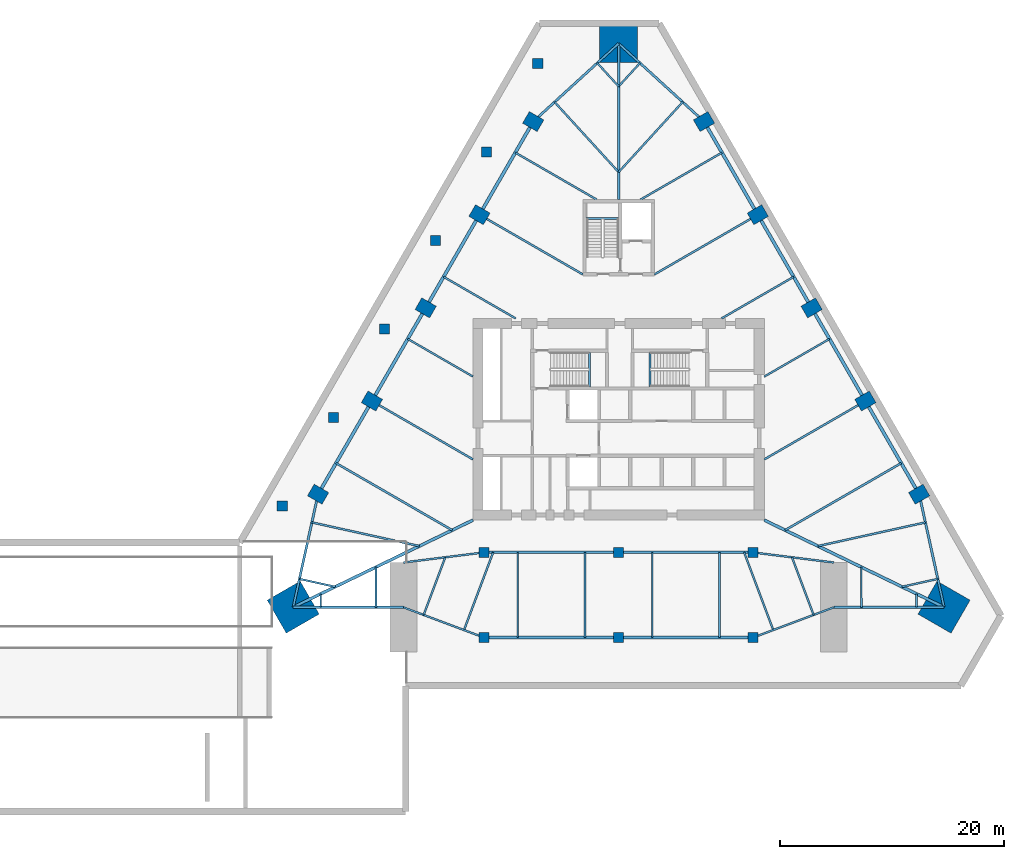
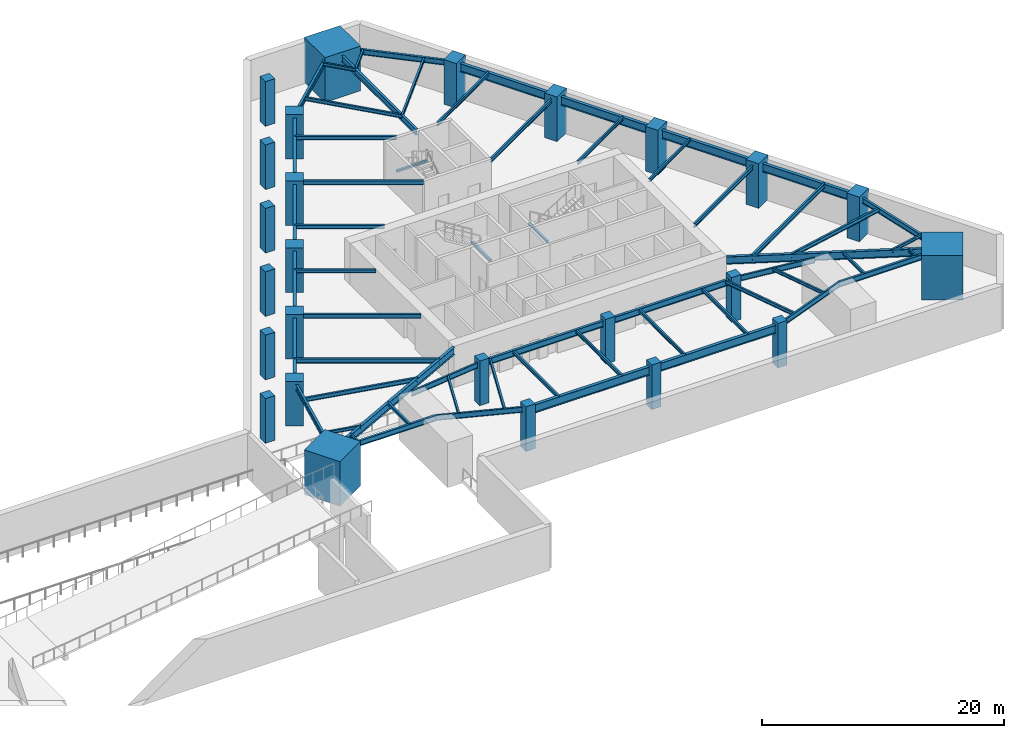
# One storey, part 1 of 7: 55 beams, 25 columns.
"""IFC4 building model written with IfcOpenShell, lengths in metres."""

from ifc_helpers import new_model, si_unit, direction, frame, origin, origin_2d, place, context, subcontext, project, spatial, rectangle, i_section, extrude, material, material_profile, profile_set, type_object, element, save


model = new_model("IFC4")

# Units and contexts
model_context = context("Model", 3, precision=1e-05, world=origin(), true_north=direction((0.0, 1.0)))
body_context = subcontext(model_context, "Body", "Model", "MODEL_VIEW")
ifc_project = project(units=[si_unit("LENGTHUNIT", "METRE"), si_unit("AREAUNIT", "SQUARE_METRE"), si_unit("VOLUMEUNIT", "CUBIC_METRE"), si_unit("PLANEANGLEUNIT", "RADIAN"), si_unit("MASSUNIT", "GRAM", prefix="KILO")], contexts=[model_context])

# Site, building, storey
site_placement = place(None, origin())
site = spatial("IfcSite", under=ifc_project, at=site_placement, CompositionType="ELEMENT")
building_placement = place(site_placement, origin())
building = spatial("IfcBuilding", under=site, at=building_placement, Name="Firuza Gate Tower and Library", CompositionType="ELEMENT")
storey_placement = place(building_placement, frame((0.0, 0.0, -9.5)))
storey = spatial("IfcBuildingStorey", under=building, at=storey_placement, Name="B2", CompositionType="ELEMENT", Elevation=-9.5)

# Columns
ifc_material_1 = material(Name="Concrete C60/75", Category="concrete")
ifc_material_profile_1 = material_profile(ifc_material_1, rectangle(XDim=0.89990234375, YDim=0.89990234375, at=origin_2d()))
ifc_profile_set_1 = profile_set([ifc_material_profile_1], Name="Concrete C60/75")
column_type_1 = type_object("IfcColumnType", Name="Basement column 900x900 C60/75", PredefinedType="COLUMN", material=ifc_profile_set_1)
for number, where, z_axis, x_axis, name in (
    (1, (63.0, 63.115478515625, 0.0), (0.0, 0.0, 1.0), (1.0, 0.0, 0.0), "Column B2 bc1"),
    (2, (75.0, 63.115478515625, 0.0), (0.0, 0.0, 1.0), (1.0, 0.0, 0.0), "Column B2 bc2"),
    (3, (87.0, 63.115478515625, 0.0), (0.0, 0.0, 1.0), (1.0, 0.0, 0.0), "Column B2 bc3"),
    (4, (63.0, 55.515380859375, 0.0), (0.0, 0.0, 1.0), (1.0, 0.0, 0.0), "Column B2 fc1"),
    (5, (75.0, 55.515380859375, 0.0), (0.0, 0.0, 1.0), (1.0, 0.0, 0.0), "Column B2 fc2"),
    (6, (87.0, 55.515380859375, 0.0), (0.0, 0.0, 1.0), (1.0, 0.0, 0.0), "Column B2 fc3"),
    (7, (44.980224609375, 67.273681640625, 0.0), (0.0, 0.0, 1.0), (1.0, 0.0, 0.0), "Column B2 AP10"),
    (8, (49.539794921875, 75.1708984375, 0.0), (0.0, 0.0, 1.0), (1.0, 0.0, 0.0), "Column B2 AP11"),
    (9, (54.099365234375, 83.068359375, 0.0), (0.0, 0.0, 1.0), (1.0, 0.0, 0.0), "Column B2 AP12"),
    (10, (58.658935546875, 90.965576171875, 0.0), (0.0, 0.0, 1.0), (1.0, 0.0, 0.0), "Column B2 AP13"),
    (11, (63.218505859375, 98.86279296875, 0.0), (0.0, 0.0, 1.0), (1.0, 0.0, 0.0), "Column B2 AP14"),
    (12, (67.77783203125, 106.76025390625, 0.0), (0.0, 0.0, 1.0), (1.0, 0.0, 0.0), "Column B2 AP15"),
):
    element("IfcColumn", number, at=place(storey_placement, frame(where, z_axis=z_axis, x_axis=x_axis)), inside=storey, type_object=column_type_1, Name=name, PredefinedType="COLUMN", context=body_context, shape_type="SweptSolid", body=[
        extrude(rectangle(XDim=0.89990234375, YDim=0.89990234375, at=origin_2d()), origin(), (0.0, 0.0, 1.0), 4.5),
    ])
ifc_material_2 = material(Name="Concrete C80/95", Category="concrete")
ifc_material_profile_2 = material_profile(ifc_material_2, rectangle(XDim=3.39990234375, YDim=3.39990234375, at=origin_2d()))
ifc_profile_set_2 = profile_set([ifc_material_profile_2], Name="Concrete C80/95")
column_type_2 = type_object("IfcColumnType", Name="Mega column 3400x3400 C80/95", PredefinedType="COLUMN", material=ifc_profile_set_2)
for number, where, z_axis, x_axis, name in (
    (13, (104.041259765625, 58.233154296875, 0.0), (0.0, 0.0, 1.0), (0.5, 0.866025403784, 0.0), "Mega column SE B2"),
    (14, (75.0, 108.533935546875, 0.0), (0.0, 0.0, 1.0), (-1.0, 0.0, 0.0), "Mega column N B2"),
    (15, (45.958740234375, 58.233154296875, 0.0), (0.0, 0.0, 1.0), (0.5, -0.866025403784, 0.0), "Mega column SW B2"),
):
    element("IfcColumn", number, at=place(storey_placement, frame(where, z_axis=z_axis, x_axis=x_axis)), inside=storey, type_object=column_type_2, Name=name, PredefinedType="COLUMN", context=body_context, shape_type="SweptSolid", body=[
        extrude(rectangle(XDim=3.39990234375, YDim=3.39990234375, at=origin_2d()), origin(), (0.0, 0.0, 1.0), 4.5),
    ])
ifc_material_3 = material(Name="Concrete C60/75", Category="concrete")
ifc_material_profile_3 = material_profile(ifc_material_3, rectangle(XDim=1.199951171875, YDim=1.5, at=origin_2d()))
ifc_profile_set_3 = profile_set([ifc_material_profile_3], Name="Concrete C60/75")
column_type_3 = type_object("IfcColumnType", Name="Perimeter column 1200x1500 C60/75", PredefinedType="COLUMN", material=ifc_profile_set_3)
for number, where, z_axis, x_axis, name in (
    (16, (101.820556640625, 68.314697265625, 0.0), (0.0, 0.0, 1.0), (-0.5, 0.866025403784, 0.0), "Column B2 E1"),
    (17, (97.0205078125, 76.62841796875, 0.0), (0.0, 0.0, 1.0), (-0.5, 0.866025403784, 0.0), "Column B2 E2"),
    (18, (92.220458984375, 84.9423828125, 0.0), (0.0, 0.0, 1.0), (-0.5, 0.866025403784, 0.0), "Column B2 E3"),
    (19, (87.420654296875, 93.256103515625, 0.0), (0.0, 0.0, 1.0), (-0.5, 0.866025403784, 0.0), "Column B2 E4"),
    (20, (82.62060546875, 101.570068359375, 0.0), (0.0, 0.0, 1.0), (-0.5, 0.866025403784, 0.0), "Column B2 E5"),
    (21, (67.37939453125, 101.570068359375, 0.0), (0.0, 0.0, 1.0), (-0.5, -0.866025403784, 0.0), "Column B2 W1"),
    (22, (62.579345703125, 93.256103515625, 0.0), (0.0, 0.0, 1.0), (-0.5, -0.866025403784, 0.0), "Column B2 W2"),
    (23, (57.779541015625, 84.9423828125, 0.0), (0.0, 0.0, 1.0), (-0.5, -0.866025403784, 0.0), "Column B2 W3"),
    (24, (52.9794921875, 76.62841796875, 0.0), (0.0, 0.0, 1.0), (-0.5, -0.866025403784, 0.0), "Column B2 W4"),
    (25, (48.179443359375, 68.314697265625, 0.0), (0.0, 0.0, 1.0), (-0.5, -0.866025403784, 0.0), "Column B2 W5"),
):
    element("IfcColumn", number, at=place(storey_placement, frame(where, z_axis=z_axis, x_axis=x_axis)), inside=storey, type_object=column_type_3, Name=name, PredefinedType="COLUMN", context=body_context, shape_type="SweptSolid", body=[
        extrude(rectangle(XDim=1.199951171875, YDim=1.5, at=origin_2d()), origin(), (0.0, 0.0, 1.0), 4.5),
    ])

# Beams
ifc_material_4 = material(Name="Concrete C35/45", Category="concrete")
ifc_material_profile_4 = material_profile(ifc_material_4, rectangle(XDim=0.199951171875, YDim=0.199951171875, at=origin_2d()))
ifc_profile_set_4 = profile_set([ifc_material_profile_4], Name="Concrete C35/45")
beam_type_1 = type_object("IfcBeamType", Name="Stair landing bearer 200x200", PredefinedType="BEAM", material=ifc_profile_set_4)
for number, where, z_axis, x_axis, name in (
    (26, (72.39990234375, 77.89990234375, 1.949951171875), (0.0, 1.0, 0.0), (-1.0, 0.0, 0.0), "Landing bearer B2 stair 1"),
    (27, (77.800048828125, 80.97998046875, 1.949951171875), (0.0, -1.0, 0.0), (1.0, 0.0, 0.0), "Landing bearer B2 stair 2"),
):
    element("IfcBeam", number, at=place(storey_placement, frame(where, z_axis=z_axis, x_axis=x_axis)), inside=storey, type_object=beam_type_1, Name=name, PredefinedType="BEAM", context=body_context, shape_type="SweptSolid", body=[
        extrude(rectangle(XDim=0.199951171875, YDim=0.199951171875, at=origin_2d()), origin(), (0.0, 0.0, 1.0), 3.080078125),
    ])
beam_1_placement = place(storey_placement, frame((75.0, 92.929931640625, 1.949951171875), z_axis=(-1.0, 0.0, 0.0), x_axis=(0.0, -1.0, 0.0)))
element("IfcBeam", 28, at=beam_1_placement, inside=storey, type_object=beam_type_1, Name="Landing bearer B2 stair 3", PredefinedType="BEAM", context=body_context, shape_type="SweptSolid", body=[
    extrude(rectangle(XDim=0.199951171875, YDim=0.199951171875, at=origin_2d()), origin(), (0.0, 0.0, 1.0), 2.89990234375),
])
ifc_material_5 = material(Name="Steel S355", Category="steel")
ifc_material_profile_5 = material_profile(ifc_material_5, i_section(OverallWidth=0.1650390625, OverallDepth=0.31005859375, WebThickness=0.005859375, FlangeThickness=0.009765625, at=origin_2d()))
ifc_profile_set_5 = profile_set([ifc_material_profile_5], Name="Steel S355")
beam_type_2 = type_object("IfcBeamType", Name="W310x39 Floor beam", PredefinedType="JOIST", material=ifc_profile_set_5)
beam_2_placement = place(storey_placement, frame((46.513916015625, 60.75341796875, 3.9951171875), z_axis=(0.976601243751, -0.215058156564, 0.0), x_axis=(0.215058156564, 0.976601243751, 0.0)))
element("IfcBeam", 29, at=beam_2_placement, inside=storey, type_object=beam_type_2, Name="Floor beam B2 s01", PredefinedType="JOIST", context=body_context, shape_type="SweptSolid", body=[
    extrude(i_section(OverallWidth=0.1650390625, OverallDepth=0.31005859375, WebThickness=0.005859375, FlangeThickness=0.009765625, at=origin_2d()), origin(), (0.0, 0.0, 1.0), 3.27294921875),
])
beam_3_placement = place(storey_placement, frame((48.419189453125, 58.228759765625, 3.9951171875), z_axis=(0.00183635683, 0.999998313895, 0.0), x_axis=(-0.999998313895, 0.00183635683, 0.0)))
element("IfcBeam", 30, at=beam_3_placement, inside=storey, type_object=beam_type_2, Name="Floor beam B2 s10", PredefinedType="JOIST", context=body_context, shape_type="SweptSolid", body=[
    extrude(i_section(OverallWidth=0.1650390625, OverallDepth=0.31005859375, WebThickness=0.005859375, FlangeThickness=0.009765625, at=origin_2d()), origin(), (0.0, 0.0, 1.0), 1.196533203125),
])
beam_4_placement = place(storey_placement, frame((53.339599609375, 58.2197265625, 3.9951171875), z_axis=(0.001836107072, 0.999998314354, 0.0), x_axis=(-0.999998314354, 0.001836107072, 0.0)))
element("IfcBeam", 31, at=beam_4_placement, inside=storey, type_object=beam_type_2, Name="Floor beam B2 s11", PredefinedType="JOIST", context=body_context, shape_type="SweptSolid", body=[
    extrude(i_section(OverallWidth=0.1650390625, OverallDepth=0.31005859375, WebThickness=0.005859375, FlangeThickness=0.009765625, at=origin_2d()), origin(), (0.0, 0.0, 1.0), 3.590087890625),
])
for number, where, z_axis, x_axis, name in (
    (32, (57.60009765625, 57.540283203125, 3.9951171875), (0.351094204277, 0.93634014104, 0.0), (-0.93634014104, 0.351094204277, 0.0), "Floor beam B2 s20"),
    (33, (92.39990234375, 57.540283203125, 3.9951171875), (-0.351094204277, 0.93634014104, 0.0), (-0.93634014104, -0.351094204277, 0.0), "Floor beam B2 s41"),
):
    element("IfcBeam", number, at=place(storey_placement, frame(where, z_axis=z_axis, x_axis=x_axis)), inside=storey, type_object=beam_type_2, Name=name, PredefinedType="JOIST", context=body_context, shape_type="SweptSolid", body=[
        extrude(i_section(OverallWidth=0.1650390625, OverallDepth=0.31005859375, WebThickness=0.005859375, FlangeThickness=0.009765625, at=origin_2d()), origin(), (0.0, 0.0, 1.0), 5.49072265625),
    ])
beam_5_placement = place(storey_placement, frame((96.660400390625, 58.2197265625, 3.9951171875), z_axis=(-0.001836107072, 0.999998314354, 0.0), x_axis=(-0.999998314354, -0.001836107072, 0.0)))
element("IfcBeam", 34, at=beam_5_placement, inside=storey, type_object=beam_type_2, Name="Floor beam B2 s50", PredefinedType="JOIST", context=body_context, shape_type="SweptSolid", body=[
    extrude(i_section(OverallWidth=0.1650390625, OverallDepth=0.31005859375, WebThickness=0.005859375, FlangeThickness=0.009765625, at=origin_2d()), origin(), (0.0, 0.0, 1.0), 3.590087890625),
])
beam_6_placement = place(storey_placement, frame((101.580810546875, 58.228759765625, 3.9951171875), z_axis=(-0.00183635683, 0.999998313895, 0.0), x_axis=(-0.999998313895, -0.00183635683, 0.0)))
element("IfcBeam", 35, at=beam_6_placement, inside=storey, type_object=beam_type_2, Name="Floor beam B2 s51", PredefinedType="JOIST", context=body_context, shape_type="SweptSolid", body=[
    extrude(i_section(OverallWidth=0.1650390625, OverallDepth=0.31005859375, WebThickness=0.005859375, FlangeThickness=0.009765625, at=origin_2d()), origin(), (0.0, 0.0, 1.0), 1.196533203125),
])
beam_7_placement = place(storey_placement, frame((103.486083984375, 60.75341796875, 3.9951171875), z_axis=(-0.976601243751, -0.215058156564, 0.0), x_axis=(0.215058156564, -0.976601243751, 0.0)))
element("IfcBeam", 36, at=beam_7_placement, inside=storey, type_object=beam_type_2, Name="Floor beam B2 s60", PredefinedType="JOIST", context=body_context, shape_type="SweptSolid", body=[
    extrude(i_section(OverallWidth=0.1650390625, OverallDepth=0.31005859375, WebThickness=0.005859375, FlangeThickness=0.009765625, at=origin_2d()), origin(), (0.0, 0.0, 1.0), 3.27294921875),
])
beam_8_placement = place(storey_placement, frame((93.820556640625, 82.171142578125, 3.9951171875), z_axis=(-0.866019234261, -0.500010685776, 0.0), x_axis=(0.500010685776, -0.866019234261, 0.0)))
element("IfcBeam", 37, at=beam_8_placement, inside=storey, type_object=beam_type_2, Name="Floor beam B2 s72", PredefinedType="JOIST", context=body_context, shape_type="SweptSolid", body=[
    extrude(i_section(OverallWidth=0.1650390625, OverallDepth=0.31005859375, WebThickness=0.005859375, FlangeThickness=0.009765625, at=origin_2d()), origin(), (0.0, 0.0, 1.0), 6.720947265625),
])
for number, where, z_axis, x_axis, name in (
    (38, (76.905029296875, 106.79296875, 3.9951171875), (-0.674533736892, -0.738244023203, 0.0), (0.738244023203, -0.674533736892, 0.0), "Floor beam B2 s81"),
    (39, (73.094970703125, 106.79296875, 3.9951171875), (0.674533736892, -0.738244023203, 0.0), (0.738244023203, 0.674533736892, 0.0), "Floor beam B2 s90"),
):
    element("IfcBeam", number, at=place(storey_placement, frame(where, z_axis=z_axis, x_axis=x_axis)), inside=storey, type_object=beam_type_2, Name=name, PredefinedType="JOIST", context=body_context, shape_type="SweptSolid", body=[
        extrude(i_section(OverallWidth=0.1650390625, OverallDepth=0.31005859375, WebThickness=0.005859375, FlangeThickness=0.009765625, at=origin_2d()), origin(), (0.0, 0.0, 1.0), 2.82421875),
    ])
beam_9_placement = place(storey_placement, frame((56.179443359375, 82.171142578125, 3.9951171875), z_axis=(0.866019234261, -0.500010685776, 0.0), x_axis=(0.500010685776, 0.866019234261, 0.0)))
element("IfcBeam", 40, at=beam_9_placement, inside=storey, type_object=beam_type_2, Name="Floor beam B2 s103", PredefinedType="JOIST", context=body_context, shape_type="SweptSolid", body=[
    extrude(i_section(OverallWidth=0.1650390625, OverallDepth=0.31005859375, WebThickness=0.005859375, FlangeThickness=0.009765625, at=origin_2d()), origin(), (0.0, 0.0, 1.0), 6.720947265625),
])
ifc_material_6 = material(Name="Steel S355", Category="steel")
ifc_material_profile_6 = material_profile(ifc_material_6, i_section(OverallWidth=0.1708984375, OverallDepth=0.35498046875, WebThickness=0.007080078125, FlangeThickness=0.01171875, at=origin_2d()))
ifc_profile_set_6 = profile_set([ifc_material_profile_6], Name="Steel S355")
beam_type_3 = type_object("IfcBeamType", Name="W360x51 Floor beam", PredefinedType="JOIST", material=ifc_profile_set_6)
beam_10_placement = place(storey_placement, frame((61.199951171875, 56.1904296875, 3.972412109375), z_axis=(0.351127059117, 0.936327820988, 0.0), x_axis=(-0.936327820988, 0.351127059117, 0.0)))
element("IfcBeam", 41, at=beam_10_placement, inside=storey, type_object=beam_type_3, Name="Floor beam B2 s21", PredefinedType="JOIST", context=body_context, shape_type="SweptSolid", body=[
    extrude(i_section(OverallWidth=0.1708984375, OverallDepth=0.35498046875, WebThickness=0.007080078125, FlangeThickness=0.01171875, at=origin_2d()), origin(), (0.0, 0.0, 1.0), 7.39599609375),
])
for number, where, z_axis, x_axis, name in (
    (42, (66.0, 55.515380859375, 3.972412109375), (0.0, 1.0, 0.0), (-1.0, 0.0, 0.0), "Floor beam B2 s30"),
    (43, (72.0, 55.515380859375, 3.972412109375), (0.0, 1.0, 0.0), (-1.0, 0.0, 0.0), "Floor beam B2 s31"),
    (44, (78.0, 55.515380859375, 3.972412109375), (0.0, 1.0, 0.0), (-1.0, 0.0, 0.0), "Floor beam B2 s32"),
    (45, (84.0, 55.515380859375, 3.972412109375), (0.0, 1.0, 0.0), (-1.0, 0.0, 0.0), "Floor beam B2 s33"),
):
    element("IfcBeam", number, at=place(storey_placement, frame(where, z_axis=z_axis, x_axis=x_axis)), inside=storey, type_object=beam_type_3, Name=name, PredefinedType="JOIST", context=body_context, shape_type="SweptSolid", body=[
        extrude(i_section(OverallWidth=0.1708984375, OverallDepth=0.35498046875, WebThickness=0.007080078125, FlangeThickness=0.01171875, at=origin_2d()), origin(), (0.0, 0.0, 1.0), 7.60009765625),
    ])
beam_11_placement = place(storey_placement, frame((88.800048828125, 56.1904296875, 3.972412109375), z_axis=(-0.351127059117, 0.936327820988, 0.0), x_axis=(-0.936327820988, -0.351127059117, 0.0)))
element("IfcBeam", 46, at=beam_11_placement, inside=storey, type_object=beam_type_3, Name="Floor beam B2 s40", PredefinedType="JOIST", context=body_context, shape_type="SweptSolid", body=[
    extrude(i_section(OverallWidth=0.1708984375, OverallDepth=0.35498046875, WebThickness=0.007080078125, FlangeThickness=0.01171875, at=origin_2d()), origin(), (0.0, 0.0, 1.0), 7.39599609375),
])
beam_12_placement = place(storey_placement, frame((90.62060546875, 87.713623046875, 3.972412109375), z_axis=(-0.866023556141, -0.500003200199, 0.0), x_axis=(0.500003200199, -0.866023556141, 0.0)))
element("IfcBeam", 47, at=beam_12_placement, inside=storey, type_object=beam_type_3, Name="Floor beam B2 s73", PredefinedType="JOIST", context=body_context, shape_type="SweptSolid", body=[
    extrude(i_section(OverallWidth=0.1708984375, OverallDepth=0.35498046875, WebThickness=0.007080078125, FlangeThickness=0.01171875, at=origin_2d()), origin(), (0.0, 0.0, 1.0), 7.42724609375),
])
beam_13_placement = place(storey_placement, frame((84.220458984375, 98.798828125, 3.972412109375), z_axis=(-0.866019517829, -0.500010194636, 0.0), x_axis=(0.500010194636, -0.866019517829, 0.0)))
element("IfcBeam", 48, at=beam_13_placement, inside=storey, type_object=beam_type_3, Name="Floor beam B2 s75", PredefinedType="JOIST", context=body_context, shape_type="SweptSolid", body=[
    extrude(i_section(OverallWidth=0.1708984375, OverallDepth=0.35498046875, WebThickness=0.007080078125, FlangeThickness=0.01171875, at=origin_2d()), origin(), (0.0, 0.0, 1.0), 8.397216796875),
])
for number, where, z_axis, x_axis, name in (
    (49, (80.71533203125, 103.31103515625, 3.972412109375), (-0.674578139258, -0.7382034503, 0.0), (0.7382034503, -0.674578139258, 0.0), "Floor beam B2 s80"),
    (50, (69.28466796875, 103.31103515625, 3.972412109375), (0.674578139258, -0.7382034503, 0.0), (0.7382034503, 0.674578139258, 0.0), "Floor beam B2 s91"),
):
    element("IfcBeam", number, at=place(storey_placement, frame(where, z_axis=z_axis, x_axis=x_axis)), inside=storey, type_object=beam_type_3, Name=name, PredefinedType="JOIST", context=body_context, shape_type="SweptSolid", body=[
        extrude(i_section(OverallWidth=0.1708984375, OverallDepth=0.35498046875, WebThickness=0.007080078125, FlangeThickness=0.01171875, at=origin_2d()), origin(), (0.0, 0.0, 1.0), 8.472412109375),
    ])
beam_14_placement = place(storey_placement, frame((65.779541015625, 98.798828125, 3.972412109375), z_axis=(0.866019517829, -0.500010194636, 0.0), x_axis=(0.500010194636, 0.866019517829, 0.0)))
element("IfcBeam", 51, at=beam_14_placement, inside=storey, type_object=beam_type_3, Name="Floor beam B2 s100", PredefinedType="JOIST", context=body_context, shape_type="SweptSolid", body=[
    extrude(i_section(OverallWidth=0.1708984375, OverallDepth=0.35498046875, WebThickness=0.007080078125, FlangeThickness=0.01171875, at=origin_2d()), origin(), (0.0, 0.0, 1.0), 8.397216796875),
])
beam_15_placement = place(storey_placement, frame((59.37939453125, 87.713623046875, 3.972412109375), z_axis=(0.866023556141, -0.500003200199, 0.0), x_axis=(0.500003200199, 0.866023556141, 0.0)))
element("IfcBeam", 52, at=beam_15_placement, inside=storey, type_object=beam_type_3, Name="Floor beam B2 s102", PredefinedType="JOIST", context=body_context, shape_type="SweptSolid", body=[
    extrude(i_section(OverallWidth=0.1708984375, OverallDepth=0.35498046875, WebThickness=0.007080078125, FlangeThickness=0.01171875, at=origin_2d()), origin(), (0.0, 0.0, 1.0), 7.42724609375),
])
ifc_material_7 = material(Name="Steel S355", Category="steel")
ifc_material_profile_7 = material_profile(ifc_material_7, i_section(OverallWidth=0.177978515625, OverallDepth=0.406982421875, WebThickness=0.0078125, FlangeThickness=0.0126953125, at=origin_2d()))
ifc_profile_set_7 = profile_set([ifc_material_profile_7], Name="Steel S355")
beam_type_4 = type_object("IfcBeamType", Name="W410x60 Floor beam", PredefinedType="JOIST", material=ifc_profile_set_7)
for number, where, z_axis, x_axis, name in (
    (53, (47.624267578125, 65.794189453125, 3.946533203125), (0.97658964753, -0.215110809441, 0.0), (0.215110809441, 0.97658964753, 0.0), "Floor beam B2 s00"),
    (54, (102.375732421875, 65.794189453125, 3.946533203125), (-0.97658964753, -0.215110809441, 0.0), (0.215110809441, -0.97658964753, 0.0), "Floor beam B2 s61"),
):
    element("IfcBeam", number, at=place(storey_placement, frame(where, z_axis=z_axis, x_axis=x_axis)), inside=storey, type_object=beam_type_4, Name=name, PredefinedType="JOIST", context=body_context, shape_type="SweptSolid", body=[
        extrude(i_section(OverallWidth=0.177978515625, OverallDepth=0.406982421875, WebThickness=0.0078125, FlangeThickness=0.0126953125, at=origin_2d()), origin(), (0.0, 0.0, 1.0), 9.818359375),
    ])
beam_16_placement = place(storey_placement, frame((97.0205078125, 76.62841796875, 3.946533203125), z_axis=(-0.866024771944, -0.500001094379, 0.0), x_axis=(0.500001094379, -0.866024771944, 0.0)))
element("IfcBeam", 55, at=beam_16_placement, inside=storey, type_object=beam_type_4, Name="Floor beam B2 s71", PredefinedType="JOIST", context=body_context, shape_type="SweptSolid", body=[
    extrude(i_section(OverallWidth=0.177978515625, OverallDepth=0.406982421875, WebThickness=0.0078125, FlangeThickness=0.0126953125, at=origin_2d()), origin(), (0.0, 0.0, 1.0), 10.416015625),
])
for number, where, z_axis, x_axis, name in (
    (56, (87.420654296875, 93.256103515625, 3.946533203125), (-0.866029027547, -0.499993723407, 0.0), (0.499993723407, -0.866029027547, 0.0), "Floor beam B2 s74"),
    (57, (62.579345703125, 93.256103515625, 3.946533203125), (0.866029027547, -0.499993723407, 0.0), (0.499993723407, 0.866029027547, 0.0), "Floor beam B2 s101"),
):
    element("IfcBeam", number, at=place(storey_placement, frame(where, z_axis=z_axis, x_axis=x_axis)), inside=storey, type_object=beam_type_4, Name=name, PredefinedType="JOIST", context=body_context, shape_type="SweptSolid", body=[
        extrude(i_section(OverallWidth=0.177978515625, OverallDepth=0.406982421875, WebThickness=0.0078125, FlangeThickness=0.0126953125, at=origin_2d()), origin(), (0.0, 0.0, 1.0), 10.647216796875),
    ])
beam_17_placement = place(storey_placement, frame((52.9794921875, 76.62841796875, 3.946533203125), z_axis=(0.866024771944, -0.500001094379, 0.0), x_axis=(0.500001094379, 0.866024771944, 0.0)))
element("IfcBeam", 58, at=beam_17_placement, inside=storey, type_object=beam_type_4, Name="Floor beam B2 s104", PredefinedType="JOIST", context=body_context, shape_type="SweptSolid", body=[
    extrude(i_section(OverallWidth=0.177978515625, OverallDepth=0.406982421875, WebThickness=0.0078125, FlangeThickness=0.0126953125, at=origin_2d()), origin(), (0.0, 0.0, 1.0), 10.416015625),
])
ifc_material_8 = material(Name="Steel S355", Category="steel")
ifc_material_profile_8 = material_profile(ifc_material_8, i_section(OverallWidth=0.18994140625, OverallDepth=0.45703125, WebThickness=0.009033203125, FlangeThickness=0.014404296875, at=origin_2d()))
ifc_profile_set_8 = profile_set([ifc_material_profile_8], Name="Steel S355")
beam_type_5 = type_object("IfcBeamType", Name="W460x74 Floor beam", PredefinedType="JOIST", material=ifc_profile_set_8)
for number, where, z_axis, x_axis, name in (
    (59, (100.220458984375, 71.0859375, 3.92138671875), (-0.866020154196, -0.500009092443, 0.0), (0.500009092443, -0.866020154196, 0.0), "Floor beam B2 s70"),
    (60, (49.779541015625, 71.0859375, 3.92138671875), (0.866020154196, -0.500009092443, 0.0), (0.500009092443, 0.866020154196, 0.0), "Floor beam B2 s105"),
):
    element("IfcBeam", number, at=place(storey_placement, frame(where, z_axis=z_axis, x_axis=x_axis)), inside=storey, type_object=beam_type_5, Name=name, PredefinedType="JOIST", context=body_context, shape_type="SweptSolid", body=[
        extrude(i_section(OverallWidth=0.18994140625, OverallDepth=0.45703125, WebThickness=0.009033203125, FlangeThickness=0.014404296875, at=origin_2d()), origin(), (0.0, 0.0, 1.0), 11.968505859375),
    ])
ifc_material_9 = material(Name="Steel S355", Category="steel")
ifc_material_profile_9 = material_profile(ifc_material_9, i_section(OverallWidth=0.212890625, OverallDepth=0.5390625, WebThickness=0.01171875, FlangeThickness=0.018798828125, at=origin_2d()))
ifc_profile_set_9 = profile_set([ifc_material_profile_9], Name="Steel S355")
beam_type_6 = type_object("IfcBeamType", Name="W530x109 Edge beam", PredefinedType="SPANDREL", material=ifc_profile_set_9)
beam_18_placement = place(storey_placement, frame((48.179443359375, 68.314697265625, 3.880615234375), z_axis=(-0.215117130091, -0.976588255275, 0.0), x_axis=(0.976588255275, -0.215117130091, 0.0)))
element("IfcBeam", 61, at=beam_18_placement, inside=storey, type_object=beam_type_6, Name="Edge beam B2 e00", PredefinedType="SPANDREL", context=body_context, shape_type="SweptSolid", body=[
    extrude(i_section(OverallWidth=0.212890625, OverallDepth=0.5390625, WebThickness=0.01171875, FlangeThickness=0.018798828125, at=origin_2d()), origin(), (0.0, 0.0, 1.0), 10.3232421875),
])
for number, where, z_axis, x_axis, name in (
    (62, (45.958740234375, 58.233154296875, 3.880615234375), (0.999998360207, -0.001810962051, 0.0), (0.001810962051, 0.999998360207, 0.0), "Edge beam B2 e10"),
    (63, (94.199951171875, 58.21533203125, 3.880615234375), (0.999998360207, 0.001810962051, 0.0), (-0.001810962051, 0.999998360207, 0.0), "Edge beam B2 e50"),
):
    element("IfcBeam", number, at=place(storey_placement, frame(where, z_axis=z_axis, x_axis=x_axis)), inside=storey, type_object=beam_type_6, Name=name, PredefinedType="SPANDREL", context=body_context, shape_type="SweptSolid", body=[
        extrude(i_section(OverallWidth=0.212890625, OverallDepth=0.5390625, WebThickness=0.01171875, FlangeThickness=0.018798828125, at=origin_2d()), origin(), (0.0, 0.0, 1.0), 9.84130859375),
    ])
for number, where, z_axis, x_axis, name in (
    (64, (104.041259765625, 58.233154296875, 3.880615234375), (-0.215117130091, 0.976588255275, 0.0), (-0.976588255275, -0.215117130091, 0.0), "Edge beam B2 e60"),
    (65, (82.62060546875, 101.570068359375, 3.880615234375), (-0.738199730284, 0.674582210118, 0.0), (-0.674582210118, -0.738199730284, 0.0), "Edge beam B2 e80"),
    (66, (75.0, 108.533935546875, 3.880615234375), (-0.738199730284, -0.674582210118, 0.0), (0.674582210118, -0.738199730284, 0.0), "Edge beam B2 e90"),
):
    element("IfcBeam", number, at=place(storey_placement, frame(where, z_axis=z_axis, x_axis=x_axis)), inside=storey, type_object=beam_type_6, Name=name, PredefinedType="SPANDREL", context=body_context, shape_type="SweptSolid", body=[
        extrude(i_section(OverallWidth=0.212890625, OverallDepth=0.5390625, WebThickness=0.01171875, FlangeThickness=0.018798828125, at=origin_2d()), origin(), (0.0, 0.0, 1.0), 10.3232421875),
    ])
ifc_material_10 = material(Name="Steel S355", Category="steel")
ifc_material_profile_10 = material_profile(ifc_material_10, i_section(OverallWidth=0.166015625, OverallDepth=0.534912109375, WebThickness=0.01025390625, FlangeThickness=0.0166015625, at=origin_2d()))
ifc_profile_set_10 = profile_set([ifc_material_profile_10], Name="Steel S355")
beam_type_7 = type_object("IfcBeamType", Name="W530x85 Edge beam", PredefinedType="SPANDREL", material=ifc_profile_set_10)
for number, where, z_axis, x_axis, name in (
    (67, (55.800048828125, 58.21533203125, 3.882568359375), (0.936330482345, -0.351119962166, 0.0), (0.351119962166, 0.936330482345, 0.0), "Edge beam B2 e20"),
    (68, (87.0, 55.515380859375, 3.882568359375), (0.936330482345, 0.351119962166, 0.0), (-0.351119962166, 0.936330482345, 0.0), "Edge beam B2 e40"),
):
    element("IfcBeam", number, at=place(storey_placement, frame(where, z_axis=z_axis, x_axis=x_axis)), inside=storey, type_object=beam_type_7, Name=name, PredefinedType="SPANDREL", context=body_context, shape_type="SweptSolid", body=[
        extrude(i_section(OverallWidth=0.166015625, OverallDepth=0.534912109375, WebThickness=0.01025390625, FlangeThickness=0.0166015625, at=origin_2d()), origin(), (0.0, 0.0, 1.0), 7.689453125),
    ])
for number, where, z_axis, x_axis, name in (
    (69, (55.800048828125, 62.21533203125, 3.882568359375), (0.992275288289, 0.124055440233, 0.0), (-0.124055440233, 0.992275288289, 0.0), "Edge beam B2 x00"),
    (70, (87.0, 63.115478515625, 3.882568359375), (0.992275288289, -0.124055440233, 0.0), (0.124055440233, 0.992275288289, 0.0), "Edge beam B2 x03"),
):
    element("IfcBeam", number, at=place(storey_placement, frame(where, z_axis=z_axis, x_axis=x_axis)), inside=storey, type_object=beam_type_7, Name=name, PredefinedType="SPANDREL", context=body_context, shape_type="SweptSolid", body=[
        extrude(i_section(OverallWidth=0.166015625, OverallDepth=0.534912109375, WebThickness=0.01025390625, FlangeThickness=0.0166015625, at=origin_2d()), origin(), (0.0, 0.0, 1.0), 7.256103515625),
    ])
ifc_material_11 = material(Name="Steel S355", Category="steel")
ifc_material_profile_11 = material_profile(ifc_material_11, i_section(OverallWidth=0.22802734375, OverallDepth=0.60302734375, WebThickness=0.010498046875, FlangeThickness=0.014892578125, at=origin_2d()))
ifc_profile_set_11 = profile_set([ifc_material_profile_11], Name="Steel S355")
beam_type_8 = type_object("IfcBeamType", Name="W610x101 Girder", PredefinedType="BEAM", material=ifc_profile_set_11)
beam_19_placement = place(storey_placement, frame((75.0, 108.533935546875, 3.848388671875), z_axis=(0.0, -1.0, 0.0), x_axis=(1.0, 0.0, 0.0)))
element("IfcBeam", 71, at=beam_19_placement, inside=storey, type_object=beam_type_8, Name="Girder B2 gN", PredefinedType="BEAM", context=body_context, shape_type="SweptSolid", body=[
    extrude(i_section(OverallWidth=0.22802734375, OverallDepth=0.60302734375, WebThickness=0.010498046875, FlangeThickness=0.014892578125, at=origin_2d()), origin(), (0.0, 0.0, 1.0), 13.933837890625),
])
ifc_material_12 = material(Name="Steel S355", Category="steel")
ifc_material_profile_12 = material_profile(ifc_material_12, i_section(OverallWidth=0.22900390625, OverallDepth=0.612060546875, WebThickness=0.011962890625, FlangeThickness=0.01953125, at=origin_2d()))
ifc_profile_set_12 = profile_set([ifc_material_profile_12], Name="Steel S355")
beam_type_9 = type_object("IfcBeamType", Name="W610x125 Edge beam", PredefinedType="SPANDREL", material=ifc_profile_set_12)
for number, where, z_axis, x_axis, name in (
    (72, (63.0, 63.115478515625, 3.843994140625), (1.0, 0.0, 0.0), (0.0, 1.0, 0.0), "Edge beam B2 x01"),
    (73, (75.0, 63.115478515625, 3.843994140625), (1.0, 0.0, 0.0), (0.0, 1.0, 0.0), "Edge beam B2 x02"),
):
    element("IfcBeam", number, at=place(storey_placement, frame(where, z_axis=z_axis, x_axis=x_axis)), inside=storey, type_object=beam_type_9, Name=name, PredefinedType="SPANDREL", context=body_context, shape_type="SweptSolid", body=[
        extrude(i_section(OverallWidth=0.22900390625, OverallDepth=0.612060546875, WebThickness=0.011962890625, FlangeThickness=0.01953125, at=origin_2d()), origin(), (0.0, 0.0, 1.0), 12.0),
    ])
ifc_material_13 = material(Name="Steel S355", Category="steel")
ifc_material_profile_13 = material_profile(ifc_material_13, i_section(OverallWidth=0.264892578125, OverallDepth=0.7529296875, WebThickness=0.01318359375, FlangeThickness=0.01708984375, at=origin_2d()))
ifc_profile_set_13 = profile_set([ifc_material_profile_13], Name="Steel S355")
beam_type_10 = type_object("IfcBeamType", Name="W760x147 Girder", PredefinedType="BEAM", material=ifc_profile_set_13)
for number, where, z_axis, x_axis, name in (
    (74, (45.958740234375, 58.233154296875, 3.7734375), (0.900050421894, 0.43578577082, 0.0), (-0.43578577082, 0.900050421894, 0.0), "Girder B2 gSW"),
    (75, (104.041259765625, 58.233154296875, 3.7734375), (-0.900050421894, 0.43578577082, 0.0), (-0.43578577082, -0.900050421894, 0.0), "Girder B2 gSE"),
):
    element("IfcBeam", number, at=place(storey_placement, frame(where, z_axis=z_axis, x_axis=x_axis)), inside=storey, type_object=beam_type_10, Name=name, PredefinedType="BEAM", context=body_context, shape_type="SweptSolid", body=[
        extrude(i_section(OverallWidth=0.264892578125, OverallDepth=0.7529296875, WebThickness=0.01318359375, FlangeThickness=0.01708984375, at=origin_2d()), origin(), (0.0, 0.0, 1.0), 17.822509765625),
    ])
ifc_material_14 = material(Name="Steel S355", Category="steel")
ifc_material_profile_14 = material_profile(ifc_material_14, i_section(OverallWidth=0.2919921875, OverallDepth=0.8349609375, WebThickness=0.013916015625, FlangeThickness=0.018798828125, at=origin_2d()))
ifc_profile_set_14 = profile_set([ifc_material_profile_14], Name="Steel S355")
beam_type_11 = type_object("IfcBeamType", Name="W840x176 Edge beam", PredefinedType="SPANDREL", material=ifc_profile_set_14)
beam_20_placement = place(storey_placement, frame((63.0, 55.515380859375, 3.732421875), z_axis=(1.0, 0.0, 0.0), x_axis=(0.0, 1.0, 0.0)))
element("IfcBeam", 76, at=beam_20_placement, inside=storey, type_object=beam_type_11, Name="Edge beam B2 e30", PredefinedType="SPANDREL", context=body_context, shape_type="SweptSolid", body=[
    extrude(i_section(OverallWidth=0.2919921875, OverallDepth=0.8349609375, WebThickness=0.013916015625, FlangeThickness=0.018798828125, at=origin_2d()), origin(), (0.0, 0.0, 1.0), 24.0),
])
for number, where, z_axis, x_axis, name in (
    (77, (101.820556640625, 68.314697265625, 3.732421875), (-0.500003864429, 0.866023172644, 0.0), (-0.866023172644, -0.500003864429, 0.0), "Edge beam B2 e70"),
    (78, (92.220458984375, 84.9423828125, 3.732421875), (-0.499994327668, 0.866028678682, 0.0), (-0.866028678682, -0.499994327668, 0.0), "Edge beam B2 e72"),
    (79, (67.37939453125, 101.570068359375, 3.732421875), (-0.499994327668, -0.866028678682, 0.0), (0.866028678682, -0.499994327668, 0.0), "Edge beam B2 e100"),
    (80, (57.779541015625, 84.9423828125, 3.732421875), (-0.500003864429, -0.866023172644, 0.0), (0.866023172644, -0.500003864429, 0.0), "Edge beam B2 e102"),
):
    element("IfcBeam", number, at=place(storey_placement, frame(where, z_axis=z_axis, x_axis=x_axis)), inside=storey, type_object=beam_type_11, Name=name, PredefinedType="SPANDREL", context=body_context, shape_type="SweptSolid", body=[
        extrude(i_section(OverallWidth=0.2919921875, OverallDepth=0.8349609375, WebThickness=0.013916015625, FlangeThickness=0.018798828125, at=origin_2d()), origin(), (0.0, 0.0, 1.0), 19.199951171875),
    ])

save(model, "model.ifc")
